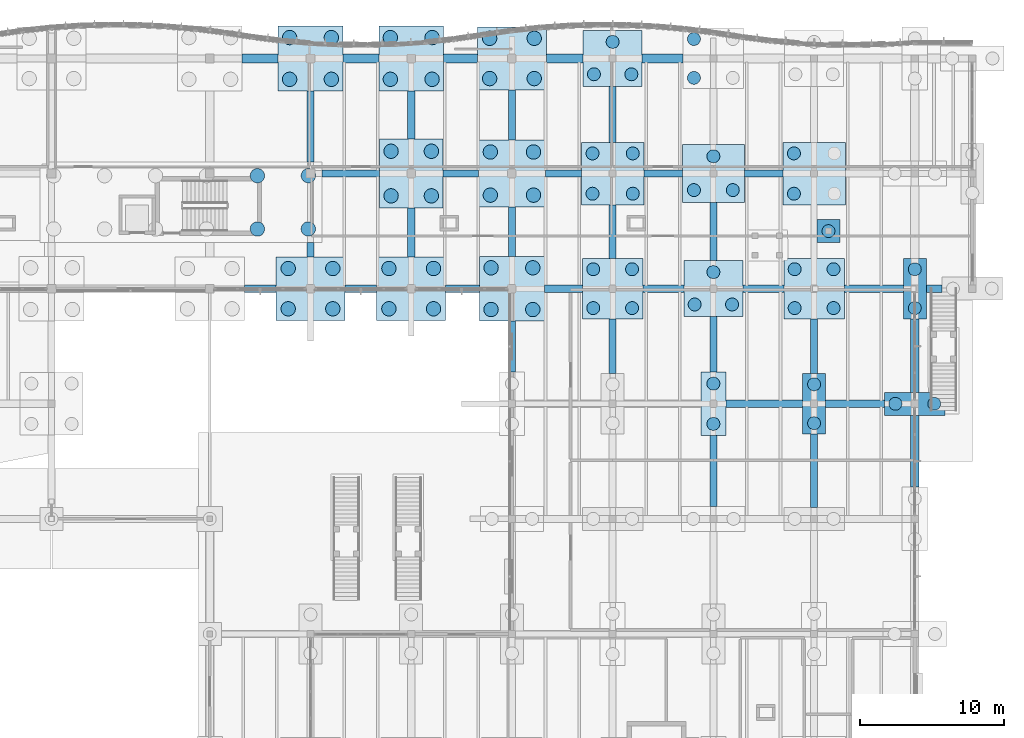
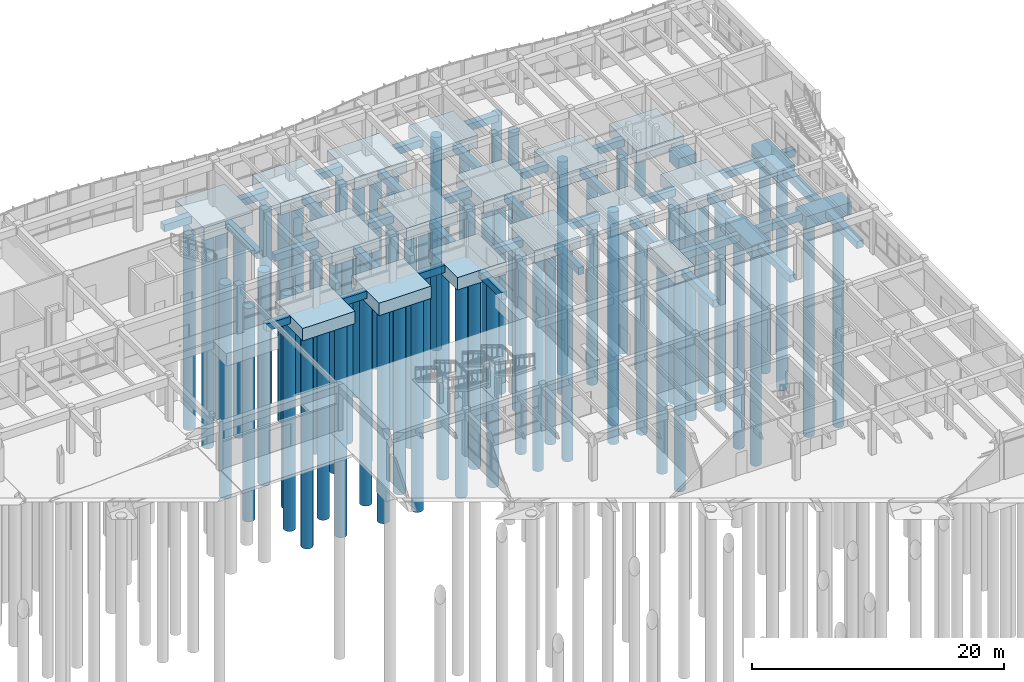
# One storey, part 8 of 99: 70 piles, 57 footings.
"""IFC4 building model written with IfcOpenShell, lengths in metres."""

import ifcopenshell
import ifcopenshell.guid

model = None  # the IFC model being written
_history = None  # IfcOwnerHistory: only IFC2X3 demands one
_inside = {}  # id of a spatial element -> (the spatial element, [elements in it])
_under = {}  # id of a project, library or spatial element -> (it, [spatial elements below it])
_declared = {}  # id of a project -> (the project, [libraries it declares])
_typed = {}  # id of a type object -> (the type object, [elements of that type])
_made_of = {}  # id of a material, layer set ... -> (it, [elements and type objects made of it])


def new_model(schema):
    """Start an empty IFC model of exactly this schema.

    Asked for "IFC4X3", IfcOpenShell would pick the latest addendum, in which some entities
    have other attributes; the version numbers below select the first issue.
    IFC2X3 requires an IfcOwnerHistory on every rooted entity: one is made here for all.
    """
    global model, _history
    if schema == "IFC4X3":
        model = ifcopenshell.file(schema_version=(4, 3, 0, 0))
    else:
        model = ifcopenshell.file(schema=schema)
    _inside.clear()
    _under.clear()
    _declared.clear()
    _typed.clear()
    _made_of.clear()
    _history = None
    if model.schema == "IFC2X3":
        org = make("IfcOrganization", Name="unknown")
        user = make(
            "IfcPersonAndOrganization",
            ThePerson=make("IfcPerson", FamilyName="unknown"),
            TheOrganization=org,
        )
        app = make(
            "IfcApplication",
            ApplicationDeveloper=org,
            Version="unknown",
            ApplicationFullName="unknown",
            ApplicationIdentifier="unknown",
        )
        _history = make(
            "IfcOwnerHistory",
            OwningUser=user,
            OwningApplication=app,
            ChangeAction="ADDED",
            CreationDate=0,
        )
    return model


def make(cls, **values):
    """One entity of the class cls with the attributes given. An attribute that is None is left unset."""
    return model.create_entity(
        cls, **{name: value for name, value in values.items() if value is not None}
    )


def rooted(cls, **values):
    """An entity with a GlobalId (a new one), such as an element, a storey or a relation."""
    return make(cls, GlobalId=ifcopenshell.guid.new(), OwnerHistory=_history, **values)


def si_unit(unit_type, name, prefix=None):
    """IfcSIUnit, for example si_unit("LENGTHUNIT", "METRE", prefix="MILLI")."""
    return make("IfcSIUnit", UnitType=unit_type, Prefix=prefix, Name=name)


def assignment(units):
    """IfcUnitAssignment: the units of a project."""
    return None if units is None else make("IfcUnitAssignment", Units=units)


def point(xyz):
    """IfcCartesianPoint."""
    return None if xyz is None else make("IfcCartesianPoint", Coordinates=xyz)


def direction(xyz):
    """IfcDirection."""
    return None if xyz is None else make("IfcDirection", DirectionRatios=xyz)


def frame(location, z_axis=None, x_axis=None):
    """IfcAxis2Placement3D, a coordinate frame: its origin and axes. An axis left out is left unset."""
    return make(
        "IfcAxis2Placement3D",
        Location=point(location),
        Axis=direction(z_axis),
        RefDirection=direction(x_axis),
    )


def frame_2d(location, x_axis=None):
    """IfcAxis2Placement2D, a coordinate frame in the plane: its origin and x axis."""
    return make(
        "IfcAxis2Placement2D", Location=point(location), RefDirection=direction(x_axis)
    )


def origin():
    """The frame at (0, 0, 0) with its axes left unset."""
    return frame((0.0, 0.0, 0.0))


def origin_2d():
    """The frame at (0, 0) in the plane with its x axis left unset."""
    return frame_2d((0.0, 0.0))


def place(relative_to, where):
    """IfcLocalPlacement: puts the frame where relative to a parent placement (None: the world)."""
    return make(
        "IfcLocalPlacement", PlacementRelTo=relative_to, RelativePlacement=where
    )


def context(
    kind, dimensions, precision=None, world=None, true_north=None, identifier=None
):
    """IfcGeometricRepresentationContext, for example the 3D "Model" context."""
    return make(
        "IfcGeometricRepresentationContext",
        ContextIdentifier=identifier,
        ContextType=kind,
        CoordinateSpaceDimension=dimensions,
        Precision=precision,
        WorldCoordinateSystem=world,
        TrueNorth=true_north,
    )


def subcontext(parent, identifier, kind, view, scale=None):
    """IfcGeometricRepresentationSubContext, for example "Body" below "Model"."""
    return make(
        "IfcGeometricRepresentationSubContext",
        ContextIdentifier=identifier,
        ContextType=kind,
        ParentContext=parent,
        TargetScale=scale,
        TargetView=view,
    )


def project(units=None, contexts=None):
    """IfcProject with its units and contexts."""
    return rooted(
        "IfcProject",
        Name="project",
        RepresentationContexts=contexts,
        UnitsInContext=assignment(units),
    )


def spatial(cls, under=None, at=None, **own):
    """A site, building, storey or space (cls), placed at a placement, below another one or the project."""
    s = rooted(cls, ObjectPlacement=at, **own)
    if under is not None:
        _under.setdefault(under.id(), (under, []))[1].append(s)
    return s


def profile(cls, at=None, kind="AREA", **sizes):
    """A parametric profile (cls). Its sizes go by their IFC names, for example OverallWidth=200.0."""
    return make(cls, ProfileType=kind, Position=at, **sizes)


def rectangle(**sizes):
    """IfcRectangleProfileDef."""
    return profile("IfcRectangleProfileDef", **sizes)


def circle(**sizes):
    """IfcCircleProfileDef."""
    return profile("IfcCircleProfileDef", **sizes)


def extrude(swept, where, along, depth):
    """IfcExtrudedAreaSolid: the profile swept, set in the frame where, extruded along a direction by depth."""
    return make(
        "IfcExtrudedAreaSolid",
        SweptArea=swept,
        Position=where,
        ExtrudedDirection=direction(along),
        Depth=depth,
    )


def shape(context_of_items, identifier, shape_type, items):
    """IfcShapeRepresentation: the items that make up one representation, for example the "Body"."""
    return make(
        "IfcShapeRepresentation",
        ContextOfItems=context_of_items,
        RepresentationIdentifier=identifier,
        RepresentationType=shape_type,
        Items=items,
    )


def material(Name=None, Category=None):
    """IfcMaterial."""
    return make("IfcMaterial", Name=Name, Category=Category)


def material_profile(
    of_material, cross_section, Name=None, Category=None, Priority=None
):
    """IfcMaterialProfile: a cross section and its material."""
    return make(
        "IfcMaterialProfile",
        Name=Name,
        Material=of_material,
        Profile=cross_section,
        Priority=Priority,
        Category=Category,
    )


def profile_set(profiles, Name=None, composite=None):
    """IfcMaterialProfileSet."""
    return make(
        "IfcMaterialProfileSet",
        Name=Name,
        MaterialProfiles=profiles,
        CompositeProfile=composite,
    )


def made_of(thing, what):
    """Note that an element or type object is made of a material, layer set ...; save() writes the relation."""
    if what is not None:
        _made_of.setdefault(what.id(), (what, []))[1].append(thing)
    return thing


def type_object(cls, material=None, **own):
    """A type object (cls), such as IfcWallType, which elements share."""
    return made_of(rooted(cls, **own), material)


def element(
    cls,
    number,
    at=None,
    inside=None,
    cuts=None,
    type_object=None,
    material=None,
    context=None,
    identifier="Body",
    shape_type=None,
    held_by="IfcProductDefinitionShape",
    body=None,
    shapes=None,
    **own,
):
    """One element of the class cls, such as IfcWall. Its Tag is "e" and its number.

    at: its placement. inside: the storey or other place that contains it. cuts: it is an
    opening in that element (IfcRelVoidsElement). A single representation is given by context,
    identifier, shape_type and body (its items); several are given by shapes. held_by: the class
    of the entity that holds the representations. save() writes the other relations.
    """
    e = rooted(cls, Tag="e%d" % number, ObjectPlacement=at, **own)
    if body is not None:
        shapes = [shape(context, identifier, shape_type, body)]
    if shapes is not None:
        e.Representation = make(held_by, Representations=shapes)
    if inside is not None:
        _inside.setdefault(inside.id(), (inside, []))[1].append(e)
    if cuts is not None:
        rooted(
            "IfcRelVoidsElement", RelatingBuildingElement=cuts, RelatedOpeningElement=e
        )
    if type_object is not None:
        _typed.setdefault(type_object.id(), (type_object, []))[1].append(e)
    return made_of(e, material)


def aggregate(whole, parts):
    """IfcRelAggregates: a whole, such as a stair, and the parts it consists of."""
    return rooted("IfcRelAggregates", RelatingObject=whole, RelatedObjects=parts)


def save(model, path):
    """Write the relations noted so far, then the file.

    IfcRelAggregates (storeys below a building ...), IfcRelContainedInSpatialStructure (elements
    in a storey), IfcRelDefinesByType, IfcRelAssociatesMaterial and IfcRelDeclares: one each for
    every whole, place, type object, material and project.
    """
    for whole, parts in _under.values():
        aggregate(whole, parts)
    for where, things in _inside.values():
        rooted(
            "IfcRelContainedInSpatialStructure",
            RelatedElements=things,
            RelatingStructure=where,
        )
    for kind, things in _typed.values():
        rooted("IfcRelDefinesByType", RelatedObjects=things, RelatingType=kind)
    for what, things in _made_of.values():
        rooted("IfcRelAssociatesMaterial", RelatedObjects=things, RelatingMaterial=what)
    for by, libraries in _declared.values():
        rooted("IfcRelDeclares", RelatingContext=by, RelatedDefinitions=libraries)
    model.write(path)


model = new_model("IFC4")

# Units and contexts
model_context = context("Model", 3, precision=1e-05, world=origin(), true_north=direction((0.0, 1.0)))
body_context = subcontext(model_context, "Body", "Model", "MODEL_VIEW")
ifc_project = project(units=[si_unit("LENGTHUNIT", "METRE"), si_unit("AREAUNIT", "SQUARE_METRE"), si_unit("VOLUMEUNIT", "CUBIC_METRE"), si_unit("PLANEANGLEUNIT", "RADIAN"), si_unit("MASSUNIT", "GRAM", prefix="KILO")], contexts=[model_context])

# Site, building, storey
site_placement = place(None, origin())
site = spatial("IfcSite", under=ifc_project, at=site_placement, CompositionType="ELEMENT")
building_placement = place(site_placement, origin())
building = spatial("IfcBuilding", under=site, at=building_placement, Name="Tonlespit Floodbar School", CompositionType="ELEMENT")
storey_placement = place(building_placement, origin())
storey = spatial("IfcBuildingStorey", under=building, at=storey_placement, Name="L00", CompositionType="ELEMENT", Elevation=0.0)

# Footings
ifc_material_1 = material(Name="Concrete C40/50", Category="concrete")
footing_type_1 = type_object("IfcFootingType", Name="FootingBeam_RC_500x700", PredefinedType="FOOTING_BEAM", material=ifc_material_1)
footing_1_placement = place(storey_placement, frame((165.53759765625, 96.0, -0.89990234375), z_axis=(0.0, 0.0, 1.0), x_axis=(1.0, 0.0, 0.0)))
element("IfcFooting", 1, at=footing_1_placement, inside=storey, type_object=footing_type_1, Name="Ground tie beam FB-115", PredefinedType="FOOTING_BEAM", context=body_context, shape_type="SweptSolid", body=[
    extrude(rectangle(XDim=5.324951171875, YDim=0.5, at=origin_2d()), origin(), (0.0, 0.0, 1.0), 0.699951171875),
])
footing_2_placement = place(storey_placement, frame((171.85009765625, 96.0, -0.89990234375), z_axis=(0.0, 0.0, 1.0), x_axis=(1.0, 0.0, 0.0)))
element("IfcFooting", 2, at=footing_2_placement, inside=storey, type_object=footing_type_1, Name="Ground tie beam FB-116", PredefinedType="FOOTING_BEAM", context=body_context, shape_type="SweptSolid", body=[
    extrude(rectangle(XDim=4.10009765625, YDim=0.5, at=origin_2d()), origin(), (0.0, 0.0, 1.0), 0.699951171875),
])
for number, where, z_axis, x_axis, name in (
    (3, (130.5, 104.0, -0.89990234375), (0.0, 0.0, 1.0), (1.0, 0.0, 0.0), "Ground tie beam FB-126"),
    (4, (137.5, 104.0, -0.89990234375), (0.0, 0.0, 1.0), (1.0, 0.0, 0.0), "Ground tie beam FB-127"),
):
    element("IfcFooting", number, at=place(storey_placement, frame(where, z_axis=z_axis, x_axis=x_axis)), inside=storey, type_object=footing_type_1, Name=name, PredefinedType="FOOTING_BEAM", context=body_context, shape_type="SweptSolid", body=[
        extrude(rectangle(XDim=2.199951171875, YDim=0.5, at=origin_2d()), origin(), (0.0, 0.0, 1.0), 0.699951171875),
    ])
footing_3_placement = place(storey_placement, frame((144.574951171875, 104.0, -0.89990234375), z_axis=(0.0, 0.0, 1.0), x_axis=(1.0, 0.0, 0.0)))
element("IfcFooting", 5, at=footing_3_placement, inside=storey, type_object=footing_type_1, Name="Ground tie beam FB-128", PredefinedType="FOOTING_BEAM", context=body_context, shape_type="SweptSolid", body=[
    extrude(rectangle(XDim=2.35009765625, YDim=0.5, at=origin_2d()), origin(), (0.0, 0.0, 1.0), 0.699951171875),
])
footing_4_placement = place(storey_placement, frame((151.574951171875, 104.0, -0.89990234375), z_axis=(0.0, 0.0, 1.0), x_axis=(1.0, 0.0, 0.0)))
element("IfcFooting", 6, at=footing_4_placement, inside=storey, type_object=footing_type_1, Name="Ground tie beam FB-129", PredefinedType="FOOTING_BEAM", context=body_context, shape_type="SweptSolid", body=[
    extrude(rectangle(XDim=2.64990234375, YDim=0.5, at=origin_2d()), origin(), (0.0, 0.0, 1.0), 0.699951171875),
])
for number, where, z_axis, x_axis, name in (
    (7, (158.52490234375, 104.0, -0.89990234375), (0.0, 0.0, 1.0), (1.0, 0.0, 0.0), "Ground tie beam FB-130"),
    (8, (165.47509765625, 104.0, -0.89990234375), (0.0, 0.0, 1.0), (1.0, 0.0, 0.0), "Ground tie beam FB-131"),
):
    element("IfcFooting", number, at=place(storey_placement, frame(where, z_axis=z_axis, x_axis=x_axis)), inside=storey, type_object=footing_type_1, Name=name, PredefinedType="FOOTING_BEAM", context=body_context, shape_type="SweptSolid", body=[
        extrude(rectangle(XDim=2.85009765625, YDim=0.5, at=origin_2d()), origin(), (0.0, 0.0, 1.0), 0.699951171875),
    ])
footing_5_placement = place(storey_placement, frame((173.14990234375, 104.0, -0.89990234375), z_axis=(0.0, 0.0, 1.0), x_axis=(1.0, 0.0, 0.0)))
element("IfcFooting", 9, at=footing_5_placement, inside=storey, type_object=footing_type_1, Name="Ground tie beam FB-132", PredefinedType="FOOTING_BEAM", context=body_context, shape_type="SweptSolid", body=[
    extrude(rectangle(XDim=4.10009765625, YDim=0.5, at=origin_2d()), origin(), (0.0, 0.0, 1.0), 0.699951171875),
])
footing_6_placement = place(storey_placement, frame((177.35009765625, 104.0, -0.89990234375), z_axis=(0.0, 0.0, 1.0), x_axis=(1.0, 0.0, 0.0)))
element("IfcFooting", 10, at=footing_6_placement, inside=storey, type_object=footing_type_1, Name="Ground tie beam FB-133", PredefinedType="FOOTING_BEAM", context=body_context, shape_type="SweptSolid", body=[
    extrude(rectangle(XDim=1.10009765625, YDim=0.5, at=origin_2d()), origin(), (0.0, 0.0, 1.0), 0.699951171875),
])
footing_7_placement = place(storey_placement, frame((136.800048828125, 112.0, -0.89990234375), z_axis=(0.0, 0.0, 1.0), x_axis=(1.0, 0.0, 0.0)))
element("IfcFooting", 11, at=footing_7_placement, inside=storey, type_object=footing_type_1, Name="Ground tie beam FB-139", PredefinedType="FOOTING_BEAM", context=body_context, shape_type="SweptSolid", body=[
    extrude(rectangle(XDim=4.0, YDim=0.5, at=origin_2d()), origin(), (0.0, 0.0, 1.0), 0.699951171875),
])
footing_8_placement = place(storey_placement, frame((144.4375, 112.0, -0.89990234375), z_axis=(0.0, 0.0, 1.0), x_axis=(1.0, 0.0, 0.0)))
element("IfcFooting", 12, at=footing_8_placement, inside=storey, type_object=footing_type_1, Name="Ground tie beam FB-140", PredefinedType="FOOTING_BEAM", context=body_context, shape_type="SweptSolid", body=[
    extrude(rectangle(XDim=2.47509765625, YDim=0.5, at=origin_2d()), origin(), (0.0, 0.0, 1.0), 0.699951171875),
])
footing_9_placement = place(storey_placement, frame((151.574951171875, 112.0, -0.89990234375), z_axis=(0.0, 0.0, 1.0), x_axis=(1.0, 0.0, 0.0)))
element("IfcFooting", 13, at=footing_9_placement, inside=storey, type_object=footing_type_1, Name="Ground tie beam FB-141", PredefinedType="FOOTING_BEAM", context=body_context, shape_type="SweptSolid", body=[
    extrude(rectangle(XDim=2.5, YDim=0.5, at=origin_2d()), origin(), (0.0, 0.0, 1.0), 0.699951171875),
])
for number, where, z_axis, x_axis, name in (
    (14, (158.512451171875, 112.0, -0.89990234375), (0.0, 0.0, 1.0), (1.0, 0.0, 0.0), "Ground tie beam FB-142"),
    (15, (165.487548828125, 112.0, -0.89990234375), (0.0, 0.0, 1.0), (1.0, 0.0, 0.0), "Ground tie beam FB-143"),
):
    element("IfcFooting", number, at=place(storey_placement, frame(where, z_axis=z_axis, x_axis=x_axis)), inside=storey, type_object=footing_type_1, Name=name, PredefinedType="FOOTING_BEAM", context=body_context, shape_type="SweptSolid", body=[
        extrude(rectangle(XDim=2.675048828125, YDim=0.5, at=origin_2d()), origin(), (0.0, 0.0, 1.0), 0.699951171875),
    ])
footing_10_placement = place(storey_placement, frame((134.0, 106.699951171875, -0.89990234375), z_axis=(0.0, 0.0, 1.0), x_axis=(0.0, 1.0, 0.0)))
element("IfcFooting", 16, at=footing_10_placement, inside=storey, type_object=footing_type_1, Name="Ground tie beam FB-281", PredefinedType="FOOTING_BEAM", context=body_context, shape_type="SweptSolid", body=[
    extrude(rectangle(XDim=1.0, YDim=0.5, at=origin_2d()), origin(), (0.0, 0.0, 1.0), 0.699951171875),
])
footing_11_placement = place(storey_placement, frame((134.0, 115.27490234375, -0.89990234375), z_axis=(0.0, 0.0, 1.0), x_axis=(0.0, 1.0, 0.0)))
element("IfcFooting", 17, at=footing_11_placement, inside=storey, type_object=footing_type_1, Name="Ground tie beam FB-282", PredefinedType="FOOTING_BEAM", context=body_context, shape_type="SweptSolid", body=[
    extrude(rectangle(XDim=4.949951171875, YDim=0.5, at=origin_2d()), origin(), (0.0, 0.0, 1.0), 0.699951171875),
])
footing_12_placement = place(storey_placement, frame((141.0, 107.89990234375, -0.89990234375), z_axis=(0.0, 0.0, 1.0), x_axis=(0.0, 1.0, 0.0)))
element("IfcFooting", 18, at=footing_12_placement, inside=storey, type_object=footing_type_1, Name="Ground tie beam FB-286", PredefinedType="FOOTING_BEAM", context=body_context, shape_type="SweptSolid", body=[
    extrude(rectangle(XDim=3.39990234375, YDim=0.5, at=origin_2d()), origin(), (0.0, 0.0, 1.0), 0.699951171875),
])
footing_13_placement = place(storey_placement, frame((141.0, 116.074951171875, -0.89990234375), z_axis=(0.0, 0.0, 1.0), x_axis=(0.0, 1.0, 0.0)))
element("IfcFooting", 19, at=footing_13_placement, inside=storey, type_object=footing_type_1, Name="Ground tie beam FB-287", PredefinedType="FOOTING_BEAM", context=body_context, shape_type="SweptSolid", body=[
    extrude(rectangle(XDim=3.35009765625, YDim=0.5, at=origin_2d()), origin(), (0.0, 0.0, 1.0), 0.699951171875),
])
footing_14_placement = place(storey_placement, frame((148.0, 99.97509765625, -0.89990234375), z_axis=(0.0, 0.0, 1.0), x_axis=(0.0, 1.0, 0.0)))
element("IfcFooting", 20, at=footing_14_placement, inside=storey, type_object=footing_type_1, Name="Ground tie beam FB-293", PredefinedType="FOOTING_BEAM", context=body_context, shape_type="SweptSolid", body=[
    extrude(rectangle(XDim=3.550048828125, YDim=0.5, at=origin_2d()), origin(), (0.0, 0.0, 1.0), 0.699951171875),
])
footing_15_placement = place(storey_placement, frame((148.0, 107.96240234375, -0.89990234375), z_axis=(0.0, 0.0, 1.0), x_axis=(0.0, 1.0, 0.0)))
element("IfcFooting", 21, at=footing_15_placement, inside=storey, type_object=footing_type_1, Name="Ground tie beam FB-294", PredefinedType="FOOTING_BEAM", context=body_context, shape_type="SweptSolid", body=[
    extrude(rectangle(XDim=3.425048828125, YDim=0.5, at=origin_2d()), origin(), (0.0, 0.0, 1.0), 0.699951171875),
])
footing_16_placement = place(storey_placement, frame((148.0, 116.0625, -0.89990234375), z_axis=(0.0, 0.0, 1.0), x_axis=(0.0, 1.0, 0.0)))
element("IfcFooting", 22, at=footing_16_placement, inside=storey, type_object=footing_type_1, Name="Ground tie beam FB-295", PredefinedType="FOOTING_BEAM", context=body_context, shape_type="SweptSolid", body=[
    extrude(rectangle(XDim=3.47509765625, YDim=0.5, at=origin_2d()), origin(), (0.0, 0.0, 1.0), 0.699951171875),
])
footing_17_placement = place(storey_placement, frame((155.0, 100.0, -0.89990234375), z_axis=(0.0, 0.0, 1.0), x_axis=(0.0, 1.0, 0.0)))
element("IfcFooting", 23, at=footing_17_placement, inside=storey, type_object=footing_type_1, Name="Ground tie beam FB-300", PredefinedType="FOOTING_BEAM", context=body_context, shape_type="SweptSolid", body=[
    extrude(rectangle(XDim=3.800048828125, YDim=0.5, at=origin_2d()), origin(), (0.0, 0.0, 1.0), 0.699951171875),
])
footing_18_placement = place(storey_placement, frame((155.0, 107.96240234375, -0.89990234375), z_axis=(0.0, 0.0, 1.0), x_axis=(0.0, 1.0, 0.0)))
element("IfcFooting", 24, at=footing_18_placement, inside=storey, type_object=footing_type_1, Name="Ground tie beam FB-301", PredefinedType="FOOTING_BEAM", context=body_context, shape_type="SweptSolid", body=[
    extrude(rectangle(XDim=3.72509765625, YDim=0.5, at=origin_2d()), origin(), (0.0, 0.0, 1.0), 0.699951171875),
])
footing_19_placement = place(storey_placement, frame((155.0, 116.112548828125, -0.89990234375), z_axis=(0.0, 0.0, 1.0), x_axis=(0.0, 1.0, 0.0)))
element("IfcFooting", 25, at=footing_19_placement, inside=storey, type_object=footing_type_1, Name="Ground tie beam FB-302", PredefinedType="FOOTING_BEAM", context=body_context, shape_type="SweptSolid", body=[
    extrude(rectangle(XDim=3.875, YDim=0.5, at=origin_2d()), origin(), (0.0, 0.0, 1.0), 0.699951171875),
])
footing_20_placement = place(storey_placement, frame((162.0, 91.33740234375, -0.89990234375), z_axis=(0.0, 0.0, 1.0), x_axis=(0.0, 1.0, 0.0)))
element("IfcFooting", 26, at=footing_20_placement, inside=storey, type_object=footing_type_1, Name="Ground tie beam FB-307", PredefinedType="FOOTING_BEAM", context=body_context, shape_type="SweptSolid", body=[
    extrude(rectangle(XDim=4.925048828125, YDim=0.5, at=origin_2d()), origin(), (0.0, 0.0, 1.0), 0.699951171875),
])
footing_21_placement = place(storey_placement, frame((162.0, 100.125, -0.89990234375), z_axis=(0.0, 0.0, 1.0), x_axis=(0.0, 1.0, 0.0)))
element("IfcFooting", 27, at=footing_21_placement, inside=storey, type_object=footing_type_1, Name="Ground tie beam FB-308", PredefinedType="FOOTING_BEAM", context=body_context, shape_type="SweptSolid", body=[
    extrude(rectangle(XDim=3.85009765625, YDim=0.5, at=origin_2d()), origin(), (0.0, 0.0, 1.0), 0.699951171875),
])
footing_22_placement = place(storey_placement, frame((162.0, 107.96240234375, -0.89990234375), z_axis=(0.0, 0.0, 1.0), x_axis=(0.0, 1.0, 0.0)))
element("IfcFooting", 28, at=footing_22_placement, inside=storey, type_object=footing_type_1, Name="Ground tie beam FB-309", PredefinedType="FOOTING_BEAM", context=body_context, shape_type="SweptSolid", body=[
    extrude(rectangle(XDim=4.02490234375, YDim=0.5, at=origin_2d()), origin(), (0.0, 0.0, 1.0), 0.699951171875),
])
footing_23_placement = place(storey_placement, frame((169.0, 91.35009765625, -0.89990234375), z_axis=(0.0, 0.0, 1.0), x_axis=(0.0, 1.0, 0.0)))
element("IfcFooting", 29, at=footing_23_placement, inside=storey, type_object=footing_type_1, Name="Ground tie beam FB-315", PredefinedType="FOOTING_BEAM", context=body_context, shape_type="SweptSolid", body=[
    extrude(rectangle(XDim=5.10009765625, YDim=0.5, at=origin_2d()), origin(), (0.0, 0.0, 1.0), 0.699951171875),
])
footing_24_placement = place(storey_placement, frame((169.0, 100.0, -0.89990234375), z_axis=(0.0, 0.0, 1.0), x_axis=(0.0, 1.0, 0.0)))
element("IfcFooting", 30, at=footing_24_placement, inside=storey, type_object=footing_type_1, Name="Ground tie beam FB-316", PredefinedType="FOOTING_BEAM", context=body_context, shape_type="SweptSolid", body=[
    extrude(rectangle(XDim=3.800048828125, YDim=0.5, at=origin_2d()), origin(), (0.0, 0.0, 1.0), 0.699951171875),
])
footing_type_2 = type_object("IfcFootingType", Name="PileCap_1P_1600", PredefinedType="PILE_CAP", material=ifc_material_1)
footing_25_placement = place(storey_placement, frame((170.0, 108.0, -1.39990234375), z_axis=(0.0, 0.0, 1.0), x_axis=(1.0, 0.0, 0.0)))
element("IfcFooting", 31, at=footing_25_placement, inside=storey, type_object=footing_type_2, Name="Library cascade stair launch cap", PredefinedType="PILE_CAP", context=body_context, shape_type="SweptSolid", body=[
    extrude(rectangle(XDim=1.60009765625, YDim=1.60009765625, at=origin_2d()), origin(), (0.0, 0.0, 1.0), 1.199951171875),
])
footing_type_3 = type_object("IfcFootingType", Name="PileCap_2PX_4200x1600", PredefinedType="PILE_CAP", material=ifc_material_1)
footing_26_placement = place(storey_placement, frame((176.0, 96.0, -1.39990234375), z_axis=(0.0, 0.0, 1.0), x_axis=(1.0, 0.0, 0.0)))
element("IfcFooting", 32, at=footing_26_placement, inside=storey, type_object=footing_type_3, Name="Pile cap FC-205 at U22/V14", PredefinedType="PILE_CAP", context=body_context, shape_type="SweptSolid", body=[
    extrude(rectangle(XDim=4.199951171875, YDim=1.60009765625, at=origin_2d()), origin(), (0.0, 0.0, 1.0), 1.199951171875),
])
footing_type_4 = type_object("IfcFootingType", Name="PileCap_2PY_1600x4200", PredefinedType="PILE_CAP", material=ifc_material_1)
for number, where, z_axis, x_axis, name in (
    (33, (169.0, 96.0, -1.39990234375), (0.0, 0.0, 1.0), (1.0, 0.0, 0.0), "Pile cap FC-190 at U21/V14"),
    (34, (176.0, 104.0, -1.39990234375), (0.0, 0.0, 1.0), (1.0, 0.0, 0.0), "Pile cap FC-206 at U22/V15"),
):
    element("IfcFooting", number, at=place(storey_placement, frame(where, z_axis=z_axis, x_axis=x_axis)), inside=storey, type_object=footing_type_4, Name=name, PredefinedType="PILE_CAP", context=body_context, shape_type="SweptSolid", body=[
        extrude(rectangle(XDim=1.60009765625, YDim=4.199951171875, at=origin_2d()), origin(), (0.0, 0.0, 1.0), 1.199951171875),
    ])
footing_type_5 = type_object("IfcFootingType", Name="PileCap_2PY_1750x4400", PredefinedType="PILE_CAP", material=ifc_material_1)
footing_27_placement = place(storey_placement, frame((162.0, 96.0, -1.39990234375), z_axis=(0.0, 0.0, 1.0), x_axis=(1.0, 0.0, 0.0)))
element("IfcFooting", 35, at=footing_27_placement, inside=storey, type_object=footing_type_5, Name="Pile cap FC-180 at U20/V14", PredefinedType="PILE_CAP", context=body_context, shape_type="SweptSolid", body=[
    extrude(rectangle(XDim=1.75, YDim=4.39990234375, at=origin_2d()), origin(), (0.0, 0.0, 1.0), 1.199951171875),
])
footing_type_6 = type_object("IfcFootingType", Name="PileCap_3P_4100x3900", PredefinedType="PILE_CAP", material=ifc_material_1)
for number, where, z_axis, x_axis, name in (
    (36, (155.0, 120.0, -1.39990234375), (0.0, 0.0, 1.0), (1.0, 0.0, 0.0), "Pile cap FC-173 at U19/V17"),
    (37, (162.0, 104.0, -1.39990234375), (0.0, 0.0, 1.0), (1.0, 0.0, 0.0), "Pile cap FC-181 at U20/V15"),
):
    element("IfcFooting", number, at=place(storey_placement, frame(where, z_axis=z_axis, x_axis=x_axis)), inside=storey, type_object=footing_type_6, Name=name, PredefinedType="PILE_CAP", context=body_context, shape_type="SweptSolid", body=[
        extrude(rectangle(XDim=4.10009765625, YDim=3.89990234375, at=origin_2d()), origin(), (0.0, 0.0, 1.0), 1.199951171875),
    ])
footing_type_7 = type_object("IfcFootingType", Name="PileCap_3P_4300x4050", PredefinedType="PILE_CAP", material=ifc_material_1)
footing_28_placement = place(storey_placement, frame((162.0, 112.0, -1.39990234375), z_axis=(0.0, 0.0, 1.0), x_axis=(1.0, 0.0, 0.0)))
element("IfcFooting", 38, at=footing_28_placement, inside=storey, type_object=footing_type_7, Name="Pile cap FC-182 at U20/V16", PredefinedType="PILE_CAP", context=body_context, shape_type="SweptSolid", body=[
    extrude(rectangle(XDim=4.300048828125, YDim=4.050048828125, at=origin_2d()), origin(), (0.0, 0.0, 1.0), 1.199951171875),
])
footing_type_8 = type_object("IfcFootingType", Name="PileCap_4P_4200x4200", PredefinedType="PILE_CAP", material=ifc_material_1)
for number, where, z_axis, x_axis, name in (
    (39, (155.0, 104.0, -1.39990234375), (0.0, 0.0, 1.0), (1.0, 0.0, 0.0), "Pile cap FC-171 at U19/V15"),
    (40, (169.0, 104.0, -1.39990234375), (0.0, 0.0, 1.0), (1.0, 0.0, 0.0), "Pile cap FC-191 at U21/V15"),
):
    element("IfcFooting", number, at=place(storey_placement, frame(where, z_axis=z_axis, x_axis=x_axis)), inside=storey, type_object=footing_type_8, Name=name, PredefinedType="PILE_CAP", context=body_context, shape_type="SweptSolid", body=[
        extrude(rectangle(XDim=4.199951171875, YDim=4.199951171875, at=origin_2d()), origin(), (0.0, 0.0, 1.0), 1.199951171875),
    ])
footing_type_9 = type_object("IfcFootingType", Name="PileCap_4P_4350x4350", PredefinedType="PILE_CAP", material=ifc_material_1)
for number, where, z_axis, x_axis, name in (
    (41, (155.0, 112.0, -1.39990234375), (0.0, 0.0, 1.0), (1.0, 0.0, 0.0), "Pile cap FC-172 at U19/V16"),
    (42, (169.0, 112.0, -1.39990234375), (0.0, 0.0, 1.0), (1.0, 0.0, 0.0), "Pile cap FC-192 at U21/V16"),
):
    element("IfcFooting", number, at=place(storey_placement, frame(where, z_axis=z_axis, x_axis=x_axis)), inside=storey, type_object=footing_type_9, Name=name, PredefinedType="PILE_CAP", context=body_context, shape_type="SweptSolid", body=[
        extrude(rectangle(XDim=4.35009765625, YDim=4.35009765625, at=origin_2d()), origin(), (0.0, 0.0, 1.0), 1.199951171875),
    ])
footing_type_10 = type_object("IfcFootingType", Name="PileCap_4P_4400x4800", PredefinedType="PILE_CAP", material=ifc_material_1)
footing_29_placement = place(storey_placement, frame((141.0, 112.0, -1.39990234375), z_axis=(0.0, 0.0, 1.0), x_axis=(1.0, 0.0, 0.0)))
element("IfcFooting", 43, at=footing_29_placement, inside=storey, type_object=footing_type_10, Name="Pile cap FC-152 at U17/V16", PredefinedType="PILE_CAP", context=body_context, shape_type="SweptSolid", body=[
    extrude(rectangle(XDim=4.39990234375, YDim=4.800048828125, at=origin_2d()), origin(), (0.0, 0.0, 1.0), 1.199951171875),
])
footing_type_11 = type_object("IfcFootingType", Name="PileCap_4P_4500x4500", PredefinedType="PILE_CAP", material=ifc_material_1)
for number, where, z_axis, x_axis, name in (
    (44, (134.0, 120.0, -1.39990234375), (0.0, 0.0, 1.0), (1.0, 0.0, 0.0), "Pile cap FC-145 at U16/V17"),
    (45, (141.0, 120.0, -1.39990234375), (0.0, 0.0, 1.0), (1.0, 0.0, 0.0), "Pile cap FC-153 at U17/V17"),
    (46, (148.0, 104.0, -1.39990234375), (0.0, 0.0, 1.0), (1.0, 0.0, 0.0), "Pile cap FC-161 at U18/V15"),
):
    element("IfcFooting", number, at=place(storey_placement, frame(where, z_axis=z_axis, x_axis=x_axis)), inside=storey, type_object=footing_type_11, Name=name, PredefinedType="PILE_CAP", context=body_context, shape_type="SweptSolid", body=[
        extrude(rectangle(XDim=4.5, YDim=4.5, at=origin_2d()), origin(), (0.0, 0.0, 1.0), 1.199951171875),
    ])
footing_type_12 = type_object("IfcFootingType", Name="PileCap_4P_4650x4650", PredefinedType="PILE_CAP", material=ifc_material_1)
footing_30_placement = place(storey_placement, frame((148.0, 112.0, -1.39990234375), z_axis=(0.0, 0.0, 1.0), x_axis=(1.0, 0.0, 0.0)))
element("IfcFooting", 47, at=footing_30_placement, inside=storey, type_object=footing_type_12, Name="Pile cap FC-162 at U18/V16", PredefinedType="PILE_CAP", context=body_context, shape_type="SweptSolid", body=[
    extrude(rectangle(XDim=4.64990234375, YDim=4.64990234375, at=origin_2d()), origin(), (0.0, 0.0, 1.0), 1.199951171875),
])
footing_type_13 = type_object("IfcFootingType", Name="PileCap_4P_4800x4400", PredefinedType="PILE_CAP", material=ifc_material_1)
for number, where, z_axis, x_axis, name in (
    (48, (134.0, 104.0, -1.39990234375), (0.0, 0.0, 1.0), (1.0, 0.0, 0.0), "Pile cap FC-143 at U16/V15"),
    (49, (141.0, 104.0, -1.39990234375), (0.0, 0.0, 1.0), (1.0, 0.0, 0.0), "Pile cap FC-151 at U17/V15"),
    (50, (148.0, 120.0, -1.39990234375), (0.0, 0.0, 1.0), (1.0, 0.0, 0.0), "Pile cap FC-163 at U18/V17"),
):
    element("IfcFooting", number, at=place(storey_placement, frame(where, z_axis=z_axis, x_axis=x_axis)), inside=storey, type_object=footing_type_13, Name=name, PredefinedType="PILE_CAP", context=body_context, shape_type="SweptSolid", body=[
        extrude(rectangle(XDim=4.800048828125, YDim=4.39990234375, at=origin_2d()), origin(), (0.0, 0.0, 1.0), 1.199951171875),
    ])

# Piles
ifc_material_2 = material(Name="Concrete C35/45", Category="concrete")
ifc_material_profile_1 = material_profile(ifc_material_2, circle(Radius=0.5, at=origin_2d()), Name="BP D1000")
ifc_profile_set_1 = profile_set([ifc_material_profile_1], Name="Concrete C35/45")
pile_type_1 = type_object("IfcPileType", Name="Pile_RC_D1000", PredefinedType="BORED", material=ifc_profile_set_1)
for number, where, z_axis, x_axis, name in (
    (51, (130.31005859375, 108.14990234375, -1.300048828125), (0.0, 0.0, -1.0), (1.0, 0.0, 0.0), "Bored pile PL-0041"),
    (52, (130.31005859375, 111.85009765625, -1.300048828125), (0.0, 0.0, -1.0), (1.0, 0.0, 0.0), "Bored pile PL-0042"),
    (53, (133.85009765625, 108.14990234375, -1.300048828125), (0.0, 0.0, -1.0), (1.0, 0.0, 0.0), "Bored pile PL-0043"),
    (54, (133.85009765625, 111.85009765625, -1.300048828125), (0.0, 0.0, -1.0), (1.0, 0.0, 0.0), "Bored pile PL-0044"),
    (55, (132.449951171875, 102.60009765625, -1.300048828125), (0.0, 0.0, -1.0), (1.0, 0.0, 0.0), "Bored pile PL-0424"),
    (56, (135.550048828125, 102.60009765625, -1.300048828125), (0.0, 0.0, -1.0), (1.0, 0.0, 0.0), "Bored pile PL-0425"),
    (57, (132.449951171875, 105.39990234375, -1.300048828125), (0.0, 0.0, -1.0), (1.0, 0.0, 0.0), "Bored pile PL-0426"),
    (58, (135.550048828125, 105.39990234375, -1.300048828125), (0.0, 0.0, -1.0), (1.0, 0.0, 0.0), "Bored pile PL-0427"),
    (59, (132.550048828125, 118.550048828125, -1.300048828125), (0.0, 0.0, -1.0), (1.0, 0.0, 0.0), "Bored pile PL-0428"),
    (60, (135.449951171875, 118.550048828125, -1.300048828125), (0.0, 0.0, -1.0), (1.0, 0.0, 0.0), "Bored pile PL-0429"),
    (61, (132.550048828125, 121.449951171875, -1.300048828125), (0.0, 0.0, -1.0), (1.0, 0.0, 0.0), "Bored pile PL-0430"),
    (62, (135.449951171875, 121.449951171875, -1.300048828125), (0.0, 0.0, -1.0), (1.0, 0.0, 0.0), "Bored pile PL-0431"),
    (63, (139.449951171875, 102.60009765625, -1.300048828125), (0.0, 0.0, -1.0), (1.0, 0.0, 0.0), "Bored pile PL-0445"),
    (64, (142.550048828125, 102.60009765625, -1.300048828125), (0.0, 0.0, -1.0), (1.0, 0.0, 0.0), "Bored pile PL-0446"),
    (65, (139.449951171875, 105.39990234375, -1.300048828125), (0.0, 0.0, -1.0), (1.0, 0.0, 0.0), "Bored pile PL-0447"),
    (66, (142.550048828125, 105.39990234375, -1.300048828125), (0.0, 0.0, -1.0), (1.0, 0.0, 0.0), "Bored pile PL-0448"),
    (67, (139.60009765625, 110.449951171875, -1.300048828125), (0.0, 0.0, -1.0), (1.0, 0.0, 0.0), "Bored pile PL-0449"),
    (68, (142.39990234375, 110.449951171875, -1.300048828125), (0.0, 0.0, -1.0), (1.0, 0.0, 0.0), "Bored pile PL-0450"),
    (69, (139.60009765625, 113.550048828125, -1.300048828125), (0.0, 0.0, -1.0), (1.0, 0.0, 0.0), "Bored pile PL-0451"),
    (70, (142.39990234375, 113.550048828125, -1.300048828125), (0.0, 0.0, -1.0), (1.0, 0.0, 0.0), "Bored pile PL-0452"),
    (71, (139.550048828125, 118.550048828125, -1.300048828125), (0.0, 0.0, -1.0), (1.0, 0.0, 0.0), "Bored pile PL-0453"),
    (72, (142.449951171875, 118.550048828125, -1.300048828125), (0.0, 0.0, -1.0), (1.0, 0.0, 0.0), "Bored pile PL-0454"),
    (73, (139.550048828125, 121.449951171875, -1.300048828125), (0.0, 0.0, -1.0), (1.0, 0.0, 0.0), "Bored pile PL-0455"),
    (74, (142.449951171875, 121.449951171875, -1.300048828125), (0.0, 0.0, -1.0), (1.0, 0.0, 0.0), "Bored pile PL-0456"),
    (75, (146.550048828125, 102.550048828125, -1.300048828125), (0.0, 0.0, -1.0), (1.0, 0.0, 0.0), "Bored pile PL-0474"),
    (76, (149.449951171875, 102.550048828125, -1.300048828125), (0.0, 0.0, -1.0), (1.0, 0.0, 0.0), "Bored pile PL-0475"),
    (77, (146.550048828125, 105.449951171875, -1.300048828125), (0.0, 0.0, -1.0), (1.0, 0.0, 0.0), "Bored pile PL-0476"),
    (78, (149.449951171875, 105.449951171875, -1.300048828125), (0.0, 0.0, -1.0), (1.0, 0.0, 0.0), "Bored pile PL-0477"),
    (79, (146.5, 110.5, -1.300048828125), (0.0, 0.0, -1.0), (1.0, 0.0, 0.0), "Bored pile PL-0478"),
    (80, (149.5, 110.5, -1.300048828125), (0.0, 0.0, -1.0), (1.0, 0.0, 0.0), "Bored pile PL-0479"),
    (81, (146.5, 113.5, -1.300048828125), (0.0, 0.0, -1.0), (1.0, 0.0, 0.0), "Bored pile PL-0480"),
    (82, (149.5, 113.5, -1.300048828125), (0.0, 0.0, -1.0), (1.0, 0.0, 0.0), "Bored pile PL-0481"),
    (83, (146.449951171875, 118.60009765625, -1.300048828125), (0.0, 0.0, -1.0), (1.0, 0.0, 0.0), "Bored pile PL-0482"),
    (84, (149.550048828125, 118.60009765625, -1.300048828125), (0.0, 0.0, -1.0), (1.0, 0.0, 0.0), "Bored pile PL-0483"),
    (85, (146.449951171875, 121.39990234375, -1.300048828125), (0.0, 0.0, -1.0), (1.0, 0.0, 0.0), "Bored pile PL-0484"),
    (86, (149.550048828125, 121.39990234375, -1.300048828125), (0.0, 0.0, -1.0), (1.0, 0.0, 0.0), "Bored pile PL-0485"),
):
    element("IfcPile", number, at=place(storey_placement, frame(where, z_axis=z_axis, x_axis=x_axis)), inside=storey, type_object=pile_type_1, Name=name, PredefinedType="BORED", context=body_context, shape_type="SweptSolid", body=[
        extrude(circle(Radius=0.5, at=origin_2d()), origin(), (0.0, 0.0, 1.0), 20.699951171875),
    ])
ifc_material_profile_2 = material_profile(ifc_material_2, circle(Radius=0.449951171875, at=origin_2d()), Name="BP D900")
ifc_profile_set_2 = profile_set([ifc_material_profile_2], Name="Concrete C35/45")
pile_type_2 = type_object("IfcPileType", Name="Pile_RC_D900", PredefinedType="BORED", material=ifc_profile_set_2)
for number, where, z_axis, x_axis, name in (
    (87, (153.64990234375, 102.64990234375, -1.300048828125), (0.0, 0.0, -1.0), (1.0, 0.0, 0.0), "Bored pile PL-0498"),
    (88, (156.35009765625, 102.64990234375, -1.300048828125), (0.0, 0.0, -1.0), (1.0, 0.0, 0.0), "Bored pile PL-0499"),
    (89, (153.64990234375, 105.35009765625, -1.300048828125), (0.0, 0.0, -1.0), (1.0, 0.0, 0.0), "Bored pile PL-0500"),
    (90, (156.35009765625, 105.35009765625, -1.300048828125), (0.0, 0.0, -1.0), (1.0, 0.0, 0.0), "Bored pile PL-0501"),
    (91, (153.60009765625, 110.60009765625, -1.300048828125), (0.0, 0.0, -1.0), (1.0, 0.0, 0.0), "Bored pile PL-0502"),
    (92, (156.39990234375, 110.60009765625, -1.300048828125), (0.0, 0.0, -1.0), (1.0, 0.0, 0.0), "Bored pile PL-0503"),
    (93, (153.60009765625, 113.39990234375, -1.300048828125), (0.0, 0.0, -1.0), (1.0, 0.0, 0.0), "Bored pile PL-0504"),
    (94, (156.39990234375, 113.39990234375, -1.300048828125), (0.0, 0.0, -1.0), (1.0, 0.0, 0.0), "Bored pile PL-0505"),
    (95, (153.699951171875, 118.89990234375, -1.300048828125), (0.0, 0.0, -1.0), (1.0, 0.0, 0.0), "Bored pile PL-0506"),
    (96, (156.300048828125, 118.89990234375, -1.300048828125), (0.0, 0.0, -1.0), (1.0, 0.0, 0.0), "Bored pile PL-0507"),
    (97, (155.0, 121.14990234375, -1.300048828125), (0.0, 0.0, -1.0), (1.0, 0.0, 0.0), "Bored pile PL-0508"),
    (98, (162.0, 94.60009765625, -1.300048828125), (0.0, 0.0, -1.0), (1.0, 0.0, 0.0), "Bored pile PL-0523"),
    (99, (162.0, 97.39990234375, -1.300048828125), (0.0, 0.0, -1.0), (1.0, 0.0, 0.0), "Bored pile PL-0524"),
    (100, (160.699951171875, 102.89990234375, -1.300048828125), (0.0, 0.0, -1.0), (1.0, 0.0, 0.0), "Bored pile PL-0525"),
    (101, (163.300048828125, 102.89990234375, -1.300048828125), (0.0, 0.0, -1.0), (1.0, 0.0, 0.0), "Bored pile PL-0526"),
    (102, (162.0, 105.14990234375, -1.300048828125), (0.0, 0.0, -1.0), (1.0, 0.0, 0.0), "Bored pile PL-0527"),
    (103, (160.64990234375, 110.85009765625, -1.300048828125), (0.0, 0.0, -1.0), (1.0, 0.0, 0.0), "Bored pile PL-0528"),
    (104, (163.35009765625, 110.85009765625, -1.300048828125), (0.0, 0.0, -1.0), (1.0, 0.0, 0.0), "Bored pile PL-0529"),
    (105, (162.0, 113.199951171875, -1.300048828125), (0.0, 0.0, -1.0), (1.0, 0.0, 0.0), "Bored pile PL-0530"),
    (106, (160.64990234375, 118.64990234375, -1.300048828125), (0.0, 0.0, -1.0), (1.0, 0.0, 0.0), "Bored pile PL-0531"),
    (107, (160.64990234375, 121.35009765625, -1.300048828125), (0.0, 0.0, -1.0), (1.0, 0.0, 0.0), "Bored pile PL-0533"),
    (108, (169.0, 94.64990234375, -1.300048828125), (0.0, 0.0, -1.0), (1.0, 0.0, 0.0), "Bored pile PL-0549"),
    (109, (169.0, 97.35009765625, -1.300048828125), (0.0, 0.0, -1.0), (1.0, 0.0, 0.0), "Bored pile PL-0550"),
    (110, (167.64990234375, 102.64990234375, -1.300048828125), (0.0, 0.0, -1.0), (1.0, 0.0, 0.0), "Bored pile PL-0551"),
    (111, (170.35009765625, 102.64990234375, -1.300048828125), (0.0, 0.0, -1.0), (1.0, 0.0, 0.0), "Bored pile PL-0552"),
    (112, (167.64990234375, 105.35009765625, -1.300048828125), (0.0, 0.0, -1.0), (1.0, 0.0, 0.0), "Bored pile PL-0553"),
    (113, (170.35009765625, 105.35009765625, -1.300048828125), (0.0, 0.0, -1.0), (1.0, 0.0, 0.0), "Bored pile PL-0554"),
    (114, (167.60009765625, 110.60009765625, -1.300048828125), (0.0, 0.0, -1.0), (1.0, 0.0, 0.0), "Bored pile PL-0555"),
    (115, (167.60009765625, 113.39990234375, -1.300048828125), (0.0, 0.0, -1.0), (1.0, 0.0, 0.0), "Bored pile PL-0557"),
    (116, (174.64990234375, 96.0, -1.300048828125), (0.0, 0.0, -1.0), (1.0, 0.0, 0.0), "Bored pile PL-0592"),
    (117, (177.35009765625, 96.0, -1.300048828125), (0.0, 0.0, -1.0), (1.0, 0.0, 0.0), "Bored pile PL-0593"),
    (118, (176.0, 102.64990234375, -1.300048828125), (0.0, 0.0, -1.0), (1.0, 0.0, 0.0), "Bored pile PL-0594"),
    (119, (176.0, 105.35009765625, -1.300048828125), (0.0, 0.0, -1.0), (1.0, 0.0, 0.0), "Bored pile PL-0595"),
    (120, (170.0, 108.0, -1.300048828125), (0.0, 0.0, -1.0), (1.0, 0.0, 0.0), "Bored pile PL-STL2-TAB"),
):
    element("IfcPile", number, at=place(storey_placement, frame(where, z_axis=z_axis, x_axis=x_axis)), inside=storey, type_object=pile_type_2, Name=name, PredefinedType="BORED", context=body_context, shape_type="SweptSolid", body=[
        extrude(circle(Radius=0.449951171875, at=origin_2d()), origin(), (0.0, 0.0, 1.0), 20.699951171875),
    ])

# Footings
footing_type_14 = type_object("IfcFootingType", Name="StripFooting_RC_600x700", PredefinedType="STRIP_FOOTING", material=ifc_material_1)
for number, where, z_axis, x_axis, name in (
    (121, (130.5, 120.0, -0.89990234375), (0.0, 0.0, 1.0), (1.0, 0.0, 0.0), "Ground tie beam FB-155"),
    (122, (137.5, 120.0, -0.89990234375), (0.0, 0.0, 1.0), (1.0, 0.0, 0.0), "Ground tie beam FB-156"),
):
    element("IfcFooting", number, at=place(storey_placement, frame(where, z_axis=z_axis, x_axis=x_axis)), inside=storey, type_object=footing_type_14, Name=name, PredefinedType="STRIP_FOOTING", context=body_context, shape_type="SweptSolid", body=[
        extrude(rectangle(XDim=2.5, YDim=0.60009765625, at=origin_2d()), origin(), (0.0, 0.0, 1.0), 0.699951171875),
    ])
footing_31_placement = place(storey_placement, frame((144.425048828125, 120.0, -0.89990234375), z_axis=(0.0, 0.0, 1.0), x_axis=(1.0, 0.0, 0.0)))
element("IfcFooting", 123, at=footing_31_placement, inside=storey, type_object=footing_type_14, Name="Ground tie beam FB-157", PredefinedType="STRIP_FOOTING", context=body_context, shape_type="SweptSolid", body=[
    extrude(rectangle(XDim=2.35009765625, YDim=0.60009765625, at=origin_2d()), origin(), (0.0, 0.0, 1.0), 0.699951171875),
])
footing_32_placement = place(storey_placement, frame((151.675048828125, 120.0, -0.89990234375), z_axis=(0.0, 0.0, 1.0), x_axis=(1.0, 0.0, 0.0)))
element("IfcFooting", 124, at=footing_32_placement, inside=storey, type_object=footing_type_14, Name="Ground tie beam FB-158", PredefinedType="STRIP_FOOTING", context=body_context, shape_type="SweptSolid", body=[
    extrude(rectangle(XDim=2.550048828125, YDim=0.60009765625, at=origin_2d()), origin(), (0.0, 0.0, 1.0), 0.699951171875),
])
footing_33_placement = place(storey_placement, frame((158.47509765625, 120.0, -0.89990234375), z_axis=(0.0, 0.0, 1.0), x_axis=(1.0, 0.0, 0.0)))
element("IfcFooting", 125, at=footing_33_placement, inside=storey, type_object=footing_type_14, Name="Ground tie beam FB-159", PredefinedType="STRIP_FOOTING", context=body_context, shape_type="SweptSolid", body=[
    extrude(rectangle(XDim=2.85009765625, YDim=0.60009765625, at=origin_2d()), origin(), (0.0, 0.0, 1.0), 0.699951171875),
])
footing_34_placement = place(storey_placement, frame((176.0, 92.699951171875, -0.89990234375), z_axis=(0.0, 0.0, 1.0), x_axis=(0.0, 1.0, 0.0)))
element("IfcFooting", 126, at=footing_34_placement, inside=storey, type_object=footing_type_14, Name="Ground tie beam FB-328", PredefinedType="STRIP_FOOTING", context=body_context, shape_type="SweptSolid", body=[
    extrude(rectangle(XDim=5.0, YDim=0.60009765625, at=origin_2d()), origin(), (0.0, 0.0, 1.0), 0.699951171875),
])
footing_35_placement = place(storey_placement, frame((176.0, 99.35009765625, -0.89990234375), z_axis=(0.0, 0.0, 1.0), x_axis=(0.0, 1.0, 0.0)))
element("IfcFooting", 127, at=footing_35_placement, inside=storey, type_object=footing_type_14, Name="Ground tie beam FB-329", PredefinedType="STRIP_FOOTING", context=body_context, shape_type="SweptSolid", body=[
    extrude(rectangle(XDim=5.10009765625, YDim=0.60009765625, at=origin_2d()), origin(), (0.0, 0.0, 1.0), 0.699951171875),
])

save(model, "model.ifc")
